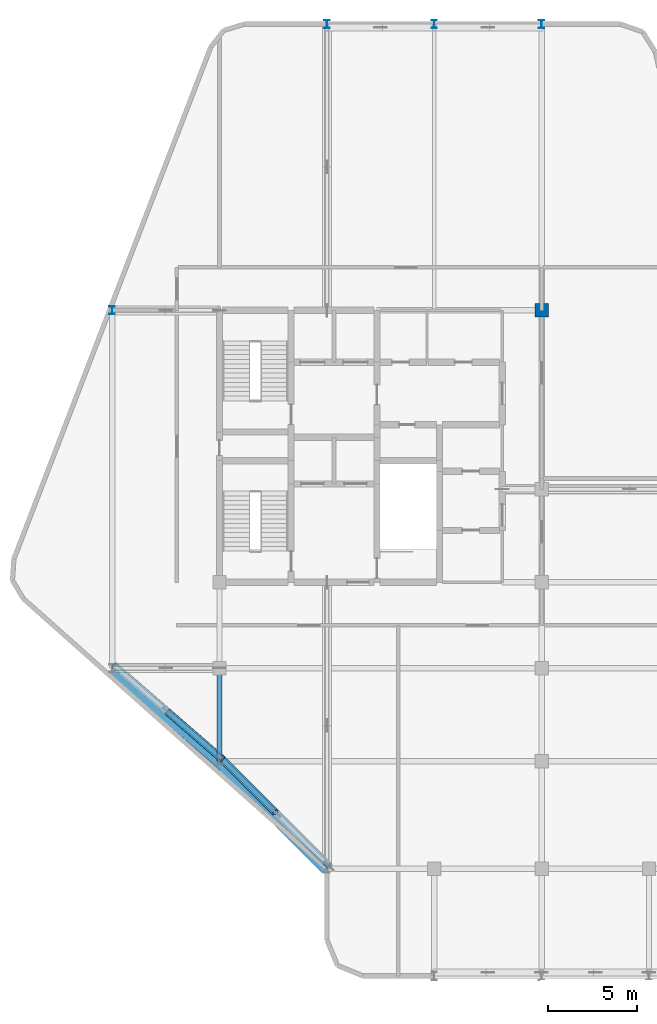
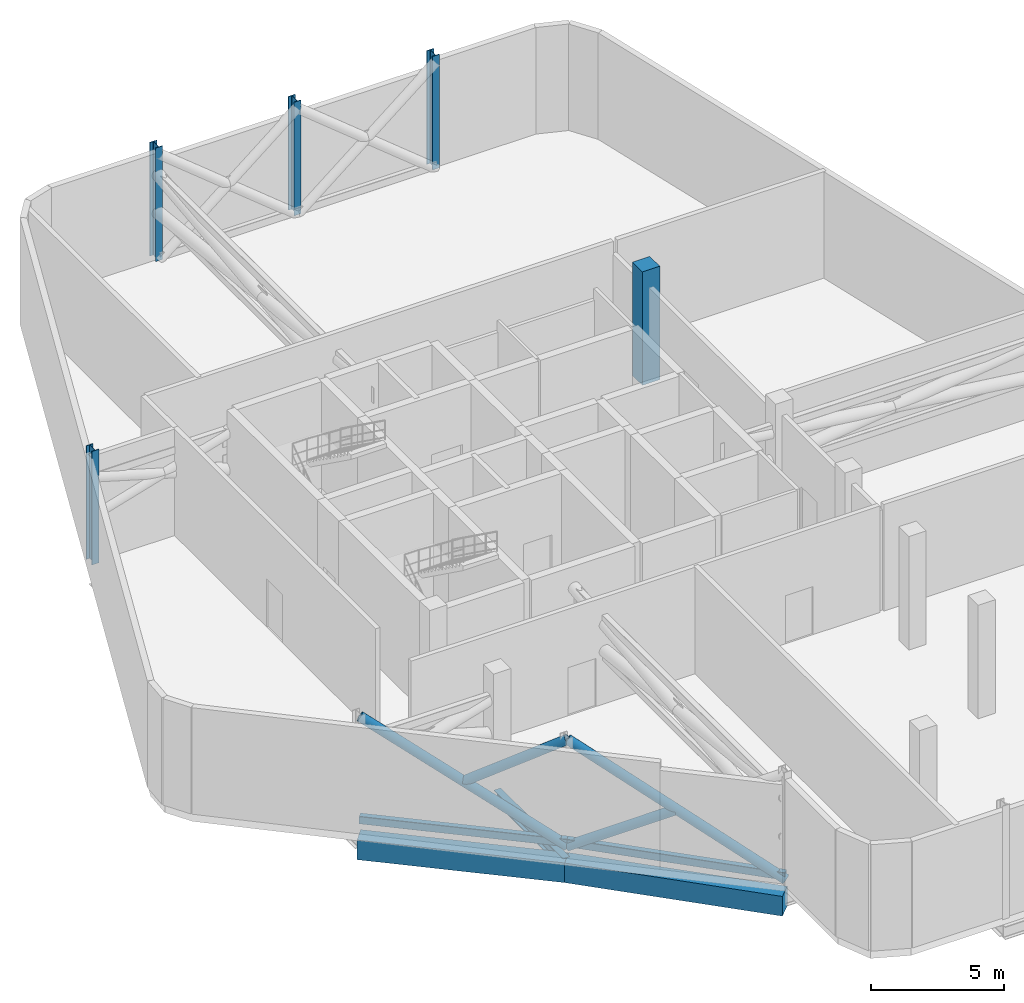
# One storey, part 3 of 12: 6 members, 5 columns, 3 beams.
"""IFC4 building model written with IfcOpenShell, lengths in metres."""

from ifc_helpers import new_model, si_unit, direction, frame, origin, origin_2d, place, context, subcontext, project, spatial, rectangle, hollow_rectangle, hollow_circle, i_section, extrude, material, material_profile, profile_set, type_object, element, save


model = new_model("IFC4")

# Units and contexts
model_context = context("Model", 3, precision=1e-05, world=origin(), true_north=direction((0.0, 1.0)))
body_context = subcontext(model_context, "Body", "Model", "MODEL_VIEW")
ifc_project = project(units=[si_unit("LENGTHUNIT", "METRE"), si_unit("AREAUNIT", "SQUARE_METRE"), si_unit("VOLUMEUNIT", "CUBIC_METRE"), si_unit("PLANEANGLEUNIT", "RADIAN"), si_unit("MASSUNIT", "GRAM", prefix="KILO")], contexts=[model_context])

# Site, building, storey
site_placement = place(None, origin())
site = spatial("IfcSite", under=ifc_project, at=site_placement, CompositionType="ELEMENT")
building_placement = place(site_placement, origin())
building = spatial("IfcBuilding", under=site, at=building_placement, Name="Keshet Zoharim Tower", CompositionType="ELEMENT")
storey_placement = place(building_placement, frame((0.0, 0.0, 237.60009765625)))
storey = spatial("IfcBuildingStorey", under=building, at=storey_placement, Name="L59", CompositionType="ELEMENT", Elevation=237.60009765625)

# Columns
ifc_material_1 = material(Name="Steel S355", Category="steel")
ifc_material_profile_1 = material_profile(ifc_material_1, i_section(OverallWidth=0.300048828125, OverallDepth=0.449951171875, WebThickness=0.013916015625, FlangeThickness=0.02587890625, FilletRadius=0.027099609375, at=origin_2d()), Name="HEB450")
ifc_profile_set_1 = profile_set([ifc_material_profile_1], Name="Steel S355")
column_type_1 = type_object("IfcColumnType", Name="COL-HEB450", PredefinedType="COLUMN", material=ifc_profile_set_1)
for number, where, z_axis, x_axis, name in (
    (1, (9.0, 37.89990234375, 0.0), (0.0, 0.0, 1.0), (1.0, 0.0, 0.0), "L59 Column 2H"),
    (2, (21.0, 53.89990234375, 0.0), (0.0, 0.0, 1.0), (1.0, 0.0, 0.0), "L59 Column 4L"),
    (3, (27.0, 53.89990234375, 0.0), (0.0, 0.0, 1.0), (1.0, 0.0, 0.0), "L59 Column 5L"),
    (4, (33.0, 53.89990234375, 0.0), (0.0, 0.0, 1.0), (1.0, 0.0, 0.0), "L59 Column 6L"),
):
    element("IfcColumn", number, at=place(storey_placement, frame(where, z_axis=z_axis, x_axis=x_axis)), inside=storey, type_object=column_type_1, Name=name, PredefinedType="COLUMN", context=body_context, shape_type="SweptSolid", body=[
        extrude(i_section(OverallWidth=0.300048828125, OverallDepth=0.449951171875, WebThickness=0.013916015625, FlangeThickness=0.02587890625, FilletRadius=0.027099609375, at=origin_2d()), origin(), (0.0, 0.0, 1.0), 5.199951171875),
    ])
ifc_material_2 = material(Name="Concrete C50/60", Category="concrete")
ifc_material_profile_2 = material_profile(ifc_material_2, rectangle(XDim=0.75, YDim=0.75, at=origin_2d()), Name="RC750x750")
ifc_profile_set_2 = profile_set([ifc_material_profile_2], Name="Concrete C50/60")
column_type_2 = type_object("IfcColumnType", Name="COL-RC750", PredefinedType="COLUMN", material=ifc_profile_set_2)
column_placement = place(storey_placement, frame((33.0, 37.89990234375, 0.0), z_axis=(0.0, 0.0, 1.0), x_axis=(1.0, 0.0, 0.0)))
element("IfcColumn", 5, at=column_placement, inside=storey, type_object=column_type_2, Name="L59 Column 6H", PredefinedType="COLUMN", context=body_context, shape_type="SweptSolid", body=[
    extrude(rectangle(XDim=0.75, YDim=0.75, at=origin_2d()), origin(), (0.0, 0.0, 1.0), 5.199951171875),
])

# Beams
ifc_material_3 = material(Name="Concrete C60/75", Category="concrete")
ifc_material_profile_3 = material_profile(ifc_material_3, rectangle(XDim=0.699951171875, YDim=0.89990234375, at=origin_2d()), Name="RC900x700")
ifc_profile_set_3 = profile_set([ifc_material_profile_3], Name="Concrete C60/75")
beam_type_1 = type_object("IfcBeamType", Name="BM-SPN-900", PredefinedType="SPANDREL", material=ifc_profile_set_3)
beam_1_placement = place(storey_placement, frame((21.0, 6.699951171875, -0.8701171875), z_axis=(-0.707106781187, 0.707106781187, 0.0), x_axis=(-0.707106781187, -0.707106781187, 0.0)))
element("IfcBeam", 6, at=beam_1_placement, inside=storey, type_object=beam_type_1, Name="L59 Perimeter Spandrel Beam 01", PredefinedType="SPANDREL", context=body_context, shape_type="SweptSolid", body=[
    extrude(rectangle(XDim=0.699951171875, YDim=0.89990234375, at=origin_2d()), origin(), (0.0, 0.0, 1.0), 8.4853515625),
])
beam_2_placement = place(storey_placement, frame((9.0, 17.89990234375, -0.8701171875), z_axis=(0.755692126483, -0.654927026447, 0.0), x_axis=(0.654927026447, 0.755692126483, 0.0)))
element("IfcBeam", 7, at=beam_2_placement, inside=storey, type_object=beam_type_1, Name="L59 Perimeter Spandrel Beam 02", PredefinedType="SPANDREL", context=body_context, shape_type="SweptSolid", body=[
    extrude(rectangle(XDim=0.699951171875, YDim=0.89990234375, at=origin_2d()), origin(), (0.0, 0.0, 1.0), 7.939697265625),
])
ifc_material_profile_4 = material_profile(ifc_material_1, i_section(OverallWidth=0.300048828125, OverallDepth=0.5, WebThickness=0.014404296875, FlangeThickness=0.028076171875, FilletRadius=0.027099609375, at=origin_2d()), Name="HEB500")
ifc_profile_set_4 = profile_set([ifc_material_profile_4], Name="Steel S355")
beam_type_2 = type_object("IfcBeamType", Name="BM-WEB-HB500", PredefinedType="BEAM", material=ifc_profile_set_4)
beam_3_placement = place(storey_placement, frame((15.0, 12.699951171875, -0.670166015625), z_axis=(0.0, 1.0, 0.0), x_axis=(-1.0, 0.0, 0.0)))
element("IfcBeam", 8, at=beam_3_placement, inside=storey, type_object=beam_type_2, Name="L59 Primary Girder Y-002", PredefinedType="BEAM", context=body_context, shape_type="SweptSolid", body=[
    extrude(i_section(OverallWidth=0.300048828125, OverallDepth=0.5, WebThickness=0.014404296875, FlangeThickness=0.028076171875, FilletRadius=0.027099609375, at=origin_2d()), origin(), (0.0, 0.0, 1.0), 5.199951171875),
])

# Members
ifc_material_profile_5 = material_profile(ifc_material_1, hollow_circle(Radius=0.203125, WallThickness=0.01611328125, at=origin_2d()), Name="CHS406x16")
ifc_profile_set_5 = profile_set([ifc_material_profile_5], Name="Steel S355")
member_type_1 = type_object("IfcMemberType", Name="MB-BELT-C406", PredefinedType="BRACE", material=ifc_profile_set_5)
member_1_placement = place(storey_placement, frame((21.1259765625, 6.842041015625, 0.0), z_axis=(-0.612968913959, 0.612968913959, 0.498536077971), x_axis=(-0.707106781187, -0.707106781187, 0.0)))
element("IfcMember", 9, at=member_1_placement, inside=storey, type_object=member_type_1, Name="L59 Perimeter Belt Truss Continuous Diagonal A08", PredefinedType="BRACE", context=body_context, shape_type="SweptSolid", body=[
    extrude(hollow_circle(Radius=0.203125, WallThickness=0.01611328125, at=origin_2d()), origin(), (0.0, 0.0, 1.0), 9.788330078125),
])
member_2_placement = place(storey_placement, frame((15.1259765625, 12.842041015625, 0.0), z_axis=(0.612968913959, -0.612968913959, 0.498536077971), x_axis=(0.707106781187, 0.707106781187, 0.0)))
element("IfcMember", 10, at=member_2_placement, inside=storey, type_object=member_type_1, Name="L59 Perimeter Belt Truss Split Diagonal B1-08", PredefinedType="BRACE", context=body_context, shape_type="SweptSolid", body=[
    extrude(hollow_circle(Radius=0.203125, WallThickness=0.01611328125, at=origin_2d()), origin(), (0.0, 0.0, 1.0), 4.894287109375),
])
member_3_placement = place(storey_placement, frame((15.1259765625, 12.842041015625, 0.0), z_axis=(-0.643812593019, 0.55796567459, 0.523621667857), x_axis=(-0.654927026447, -0.755692126483, 0.0)))
element("IfcMember", 11, at=member_3_placement, inside=storey, type_object=member_type_1, Name="L59 Perimeter Belt Truss Continuous Diagonal A09", PredefinedType="BRACE", context=body_context, shape_type="SweptSolid", body=[
    extrude(hollow_circle(Radius=0.203125, WallThickness=0.01611328125, at=origin_2d()), origin(), (0.0, 0.0, 1.0), 9.319580078125),
])
member_4_placement = place(storey_placement, frame((12.1259765625, 15.44189453125, 2.43994140625), z_axis=(0.643822003559, -0.55794763313, 0.52362932158), x_axis=(0.654909465958, 0.755707345074, 0.0)))
element("IfcMember", 12, at=member_4_placement, inside=storey, type_object=member_type_1, Name="L59 Perimeter Belt Truss Split Diagonal B2-09", PredefinedType="BRACE", context=body_context, shape_type="SweptSolid", body=[
    extrude(hollow_circle(Radius=0.203125, WallThickness=0.01611328125, at=origin_2d()), origin(), (0.0, 0.0, 1.0), 4.65966796875),
])
ifc_material_profile_6 = material_profile(ifc_material_1, hollow_rectangle(XDim=0.25, YDim=0.35009765625, WallThickness=0.01416015625, InnerFilletRadius=0.013916015625, OuterFilletRadius=0.02099609375, at=origin_2d()), Name="RHS350x250x14.2")
ifc_profile_set_6 = profile_set([ifc_material_profile_6], Name="Steel S355")
member_type_2 = type_object("IfcMemberType", Name="MB-CHD-R350", PredefinedType="CHORD", material=ifc_profile_set_6)
member_5_placement = place(storey_placement, frame((21.1259765625, 6.842041015625, 0.199951171875), z_axis=(-0.707106781187, 0.707106781187, 0.0), x_axis=(-0.707106781187, -0.707106781187, 0.0)))
element("IfcMember", 13, at=member_5_placement, inside=storey, type_object=member_type_2, Name="L59 Perimeter Belt Truss Chord B08", PredefinedType="CHORD", context=body_context, shape_type="SweptSolid", body=[
    extrude(hollow_rectangle(XDim=0.25, YDim=0.35009765625, WallThickness=0.01416015625, InnerFilletRadius=0.013916015625, OuterFilletRadius=0.02099609375, at=origin_2d()), origin(), (0.0, 0.0, 1.0), 8.4853515625),
])
member_6_placement = place(storey_placement, frame((15.1259765625, 12.842041015625, 0.199951171875), z_axis=(-0.755692126483, 0.654927026447, 0.0), x_axis=(-0.654927026447, -0.755692126483, 0.0)))
element("IfcMember", 14, at=member_6_placement, inside=storey, type_object=member_type_2, Name="L59 Perimeter Belt Truss Chord B09", PredefinedType="CHORD", context=body_context, shape_type="SweptSolid", body=[
    extrude(hollow_rectangle(XDim=0.25, YDim=0.35009765625, WallThickness=0.01416015625, InnerFilletRadius=0.013916015625, OuterFilletRadius=0.02099609375, at=origin_2d()), origin(), (0.0, 0.0, 1.0), 7.939697265625),
])

save(model, "model.ifc")
